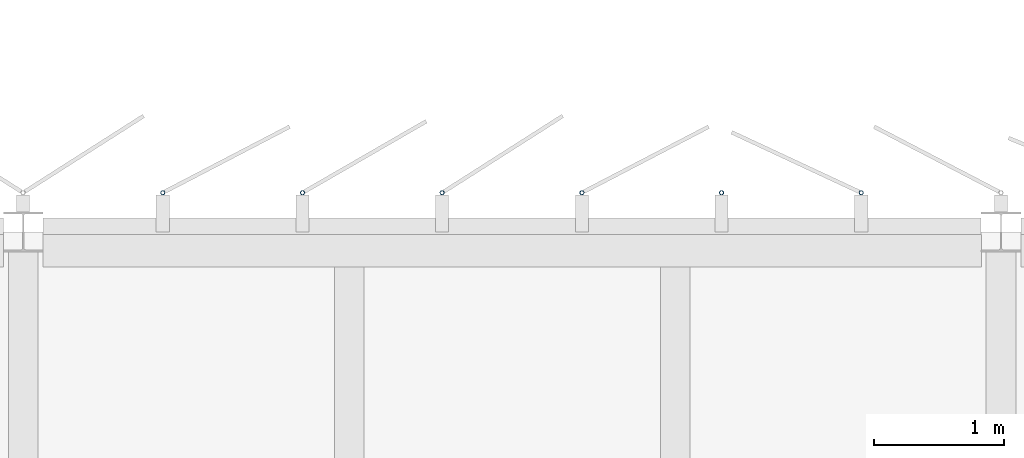
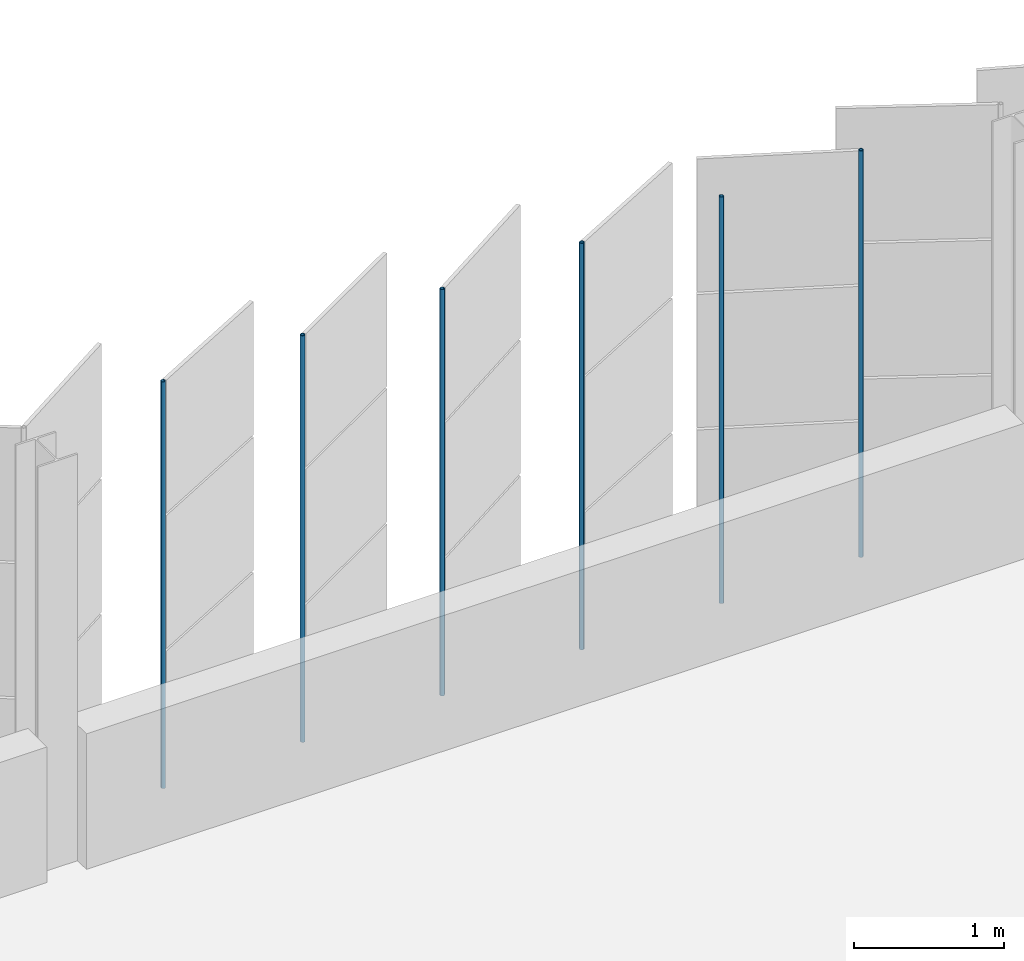
# One storey, part 152 of 199: 6 discrete accessories.
"""IFC4 building model written with IfcOpenShell, lengths in metres."""

from ifc_helpers import new_model, si_unit, direction, frame, origin, origin_2d, place, context, subcontext, project, spatial, hollow_circle, extrude, material, material_profile, profile_set, type_object, element, save


model = new_model("IFC4")

# Units and contexts
model_context = context("Model", 3, precision=1e-05, world=origin(), true_north=direction((0.0, 1.0)))
body_context = subcontext(model_context, "Body", "Model", "MODEL_VIEW")
ifc_project = project(units=[si_unit("LENGTHUNIT", "METRE"), si_unit("AREAUNIT", "SQUARE_METRE"), si_unit("VOLUMEUNIT", "CUBIC_METRE"), si_unit("PLANEANGLEUNIT", "RADIAN"), si_unit("MASSUNIT", "GRAM", prefix="KILO")], contexts=[model_context])

# Site, building, storey
site_placement = place(None, origin())
site = spatial("IfcSite", under=ifc_project, at=site_placement, CompositionType="ELEMENT")
building_placement = place(site_placement, origin())
building = spatial("IfcBuilding", under=site, at=building_placement, Name="Parallax Yard Mobility Hub", CompositionType="ELEMENT")
storey_placement = place(building_placement, frame((0.0, 0.0, 9.89990234375)))
storey = spatial("IfcBuildingStorey", under=building, at=storey_placement, Name="L03", CompositionType="ELEMENT", Elevation=9.89990234375)

# Discrete accessories
ifc_material = material(Name="Steel ASTM A500 Gr C, hot-dip galvanised", Category="steel")
ifc_material_profile = material_profile(ifc_material, hollow_circle(Radius=0.016845703125, WallThickness=0.003173828125, at=origin_2d()), Name="CHS 33.7x3.2")
ifc_profile_set = profile_set([ifc_material_profile], Name="Steel ASTM A500 Gr C, hot-dip galvanised")
discrete_accessory_type = type_object("IfcDiscreteAccessoryType", Name="Hinge post CHS 33.7x3.2", PredefinedType="BRACKET", material=ifc_profile_set)
for number, where, z_axis, x_axis, name in (
    (1, (148.927490234375, 142.800048828125, 0.0), (0.0, 0.0, 1.0), (1.0, 0.0, 0.0), "Hinge post bay 54.2 level L03"),
    (2, (147.856201171875, 142.800048828125, 0.0), (0.0, 0.0, 1.0), (1.0, 0.0, 0.0), "Hinge post bay 54.3 level L03"),
    (3, (146.784423828125, 142.800048828125, 0.0), (0.0, 0.0, 1.0), (1.0, 0.0, 0.0), "Hinge post bay 54.4 level L03"),
    (4, (145.712890625, 142.800048828125, 0.0), (0.0, 0.0, 1.0), (1.0, 0.0, 0.0), "Hinge post bay 54.5 level L03"),
    (5, (144.641357421875, 142.800048828125, 0.0), (0.0, 0.0, 1.0), (1.0, 0.0, 0.0), "Hinge post bay 54.6 level L03"),
    (6, (143.56982421875, 142.800048828125, 0.0), (0.0, 0.0, 1.0), (1.0, 0.0, 0.0), "Hinge post bay 54.7 level L03"),
):
    element("IfcDiscreteAccessory", number, at=place(storey_placement, frame(where, z_axis=z_axis, x_axis=x_axis)), inside=storey, type_object=discrete_accessory_type, Name=name, PredefinedType="BRACKET", context=body_context, shape_type="SweptSolid", body=[
        extrude(hollow_circle(Radius=0.016845703125, WallThickness=0.003173828125, at=origin_2d()), origin(), (0.0, 0.0, 1.0), 3.300048828125),
    ])

save(model, "model.ifc")
